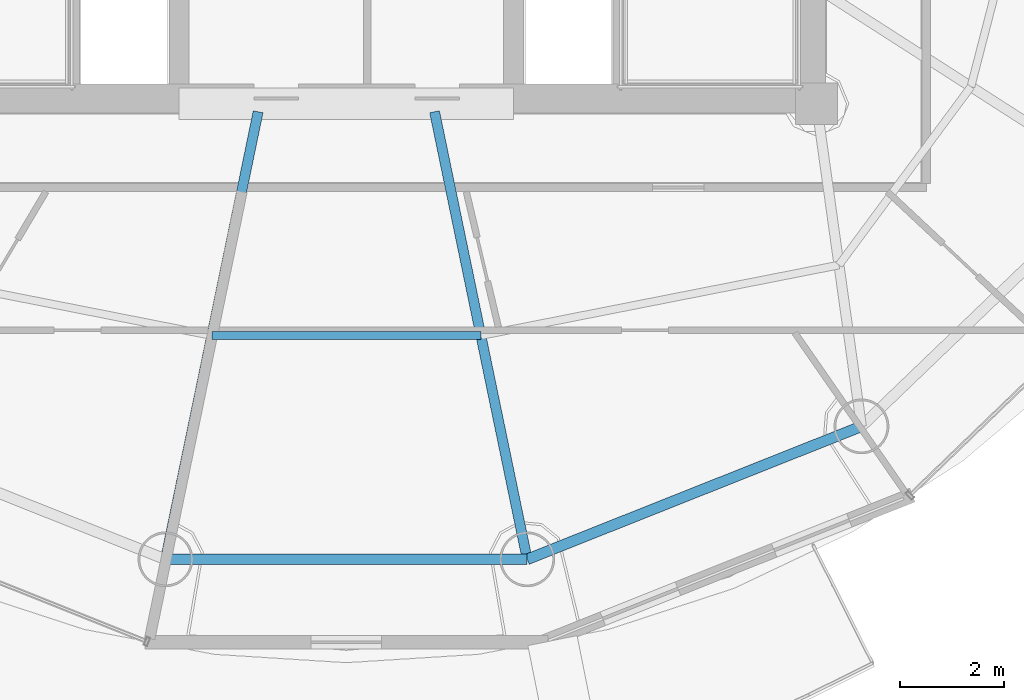
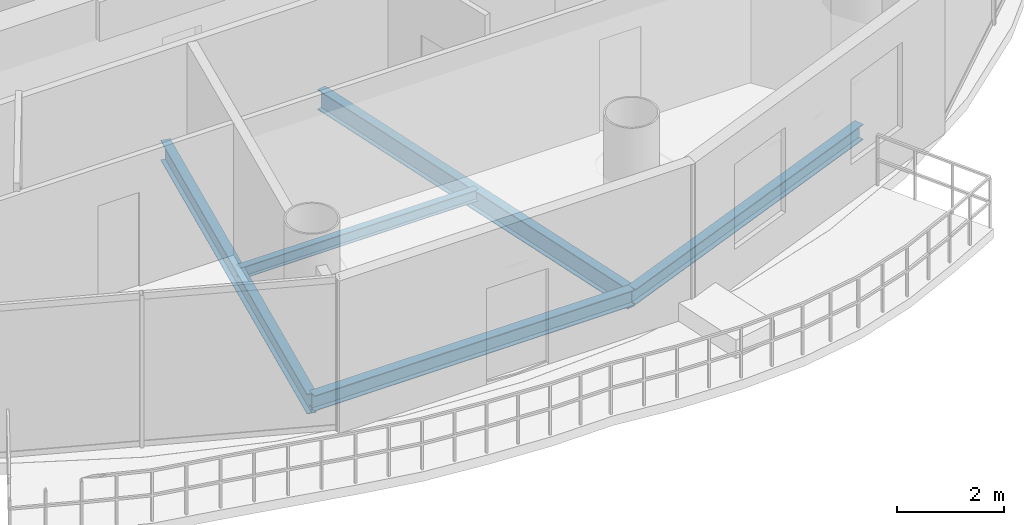
# One storey, part 5 of 23: 5 beams.
"""IFC4 building model written with IfcOpenShell, lengths in metres."""

from ifc_helpers import new_model, si_unit, direction, frame, origin, origin_2d, place, context, subcontext, project, spatial, i_section, extrude, material, material_profile, profile_set, type_object, element, save


model = new_model("IFC4")

# Units and contexts
model_context = context("Model", 3, precision=1e-05, world=origin(), true_north=direction((-0.2419218956, 0.970295726276)))
body_context = subcontext(model_context, "Body", "Model", "MODEL_VIEW")
ifc_project = project(units=[si_unit("LENGTHUNIT", "METRE"), si_unit("AREAUNIT", "SQUARE_METRE"), si_unit("VOLUMEUNIT", "CUBIC_METRE"), si_unit("PLANEANGLEUNIT", "RADIAN"), si_unit("MASSUNIT", "GRAM", prefix="KILO")], contexts=[model_context])

# Site, building, storey
site_placement = place(None, origin())
site = spatial("IfcSite", under=ifc_project, at=site_placement, CompositionType="ELEMENT")
building_placement = place(site_placement, origin())
building = spatial("IfcBuilding", under=site, at=building_placement, Name="Cobrevalo Terracotta Tower", CompositionType="ELEMENT")
storey_placement = place(building_placement, frame((0.0, 0.0, 255.699951171875)))
storey = spatial("IfcBuildingStorey", under=building, at=storey_placement, Name="L67", CompositionType="ELEMENT", Elevation=255.699951171875)

# Beams
ifc_material = material(Name="Steel S355", Category="steel")
ifc_material_profile_1 = material_profile(ifc_material, i_section(OverallWidth=0.19091796875, OverallDepth=0.4599609375, WebThickness=0.010009765625, FlangeThickness=0.01611328125, at=origin_2d()), Name="W 460x82")
ifc_profile_set_1 = profile_set([ifc_material_profile_1], Name="Steel S355")
beam_type_1 = type_object("IfcBeamType", Name="Structural Beam W 460x82 (Steel S355)", PredefinedType="BEAM", material=ifc_profile_set_1)
for number, where, z_axis, x_axis, name in (
    (1, (34.537109375, 10.07763671875, -0.489990234375), (0.202781841237, 0.9792239401, 0.0), (-0.9792239401, 0.202781841237, 0.0), "L67 radial floor girder 12"),
    (2, (41.462890625, 10.07763671875, -0.489990234375), (-0.202781841237, 0.9792239401, 0.0), (-0.9792239401, -0.202781841237, 0.0), "L67 radial floor girder 13"),
):
    element("IfcBeam", number, at=place(storey_placement, frame(where, z_axis=z_axis, x_axis=x_axis)), inside=storey, type_object=beam_type_1, Name=name, PredefinedType="BEAM", context=body_context, shape_type="SweptSolid", body=[
        extrude(i_section(OverallWidth=0.19091796875, OverallDepth=0.4599609375, WebThickness=0.010009765625, FlangeThickness=0.01611328125, at=origin_2d()), origin(), (0.0, 0.0, 1.0), 8.749267578125),
    ])
ifc_material_profile_2 = material_profile(ifc_material, i_section(OverallWidth=0.14794921875, OverallDepth=0.26611328125, WebThickness=0.007568359375, FlangeThickness=0.012939453125, at=origin_2d()), Name="W 250x44.8")
ifc_profile_set_2 = profile_set([ifc_material_profile_2], Name="Steel S355")
beam_type_2 = type_object("IfcBeamType", Name="Structural Joist W 250x44.8 (Steel S355)", PredefinedType="JOIST", material=ifc_profile_set_2)
beam_1_placement = place(storey_placement, frame((35.42431640625, 14.361328125, -0.39306640625), z_axis=(1.0, 0.0, 0.0), x_axis=(0.0, 1.0, 0.0)))
element("IfcBeam", 3, at=beam_1_placement, inside=storey, type_object=beam_type_2, Name="L67 circumferential secondary floor joist 12", PredefinedType="JOIST", context=body_context, shape_type="SweptSolid", body=[
    extrude(i_section(OverallWidth=0.14794921875, OverallDepth=0.26611328125, WebThickness=0.007568359375, FlangeThickness=0.012939453125, at=origin_2d()), origin(), (0.0, 0.0, 1.0), 5.1513671875),
])
ifc_material_profile_3 = material_profile(ifc_material, i_section(OverallWidth=0.205078125, OverallDepth=0.35400390625, WebThickness=0.009521484375, FlangeThickness=0.016845703125, at=origin_2d()), Name="W 360x79")
ifc_profile_set_3 = profile_set([ifc_material_profile_3], Name="Steel S355")
beam_type_3 = type_object("IfcBeamType", Name="Structural Spandrel W 360x79 (Steel S355)", PredefinedType="SPANDREL", material=ifc_profile_set_3)
beam_2_placement = place(storey_placement, frame((34.537109375, 10.07763671875, -0.43701171875), z_axis=(1.0, 0.0, 0.0), x_axis=(0.0, 1.0, 0.0)))
element("IfcBeam", 4, at=beam_2_placement, inside=storey, type_object=beam_type_3, Name="L67 perimeter ring spandrel 12", PredefinedType="SPANDREL", context=body_context, shape_type="SweptSolid", body=[
    extrude(i_section(OverallWidth=0.205078125, OverallDepth=0.35400390625, WebThickness=0.009521484375, FlangeThickness=0.016845703125, at=origin_2d()), origin(), (0.0, 0.0, 1.0), 6.92578125),
])
beam_3_placement = place(storey_placement, frame((41.462890625, 10.07763671875, -0.43701171875), z_axis=(0.929149986048, 0.369702993533, 0.0), x_axis=(-0.369702993533, 0.929149986048, 0.0)))
element("IfcBeam", 5, at=beam_3_placement, inside=storey, type_object=beam_type_3, Name="L67 perimeter ring spandrel 13", PredefinedType="SPANDREL", context=body_context, shape_type="SweptSolid", body=[
    extrude(i_section(OverallWidth=0.205078125, OverallDepth=0.35400390625, WebThickness=0.009521484375, FlangeThickness=0.016845703125, at=origin_2d()), origin(), (0.0, 0.0, 1.0), 6.88623046875),
])

save(model, "model.ifc")
